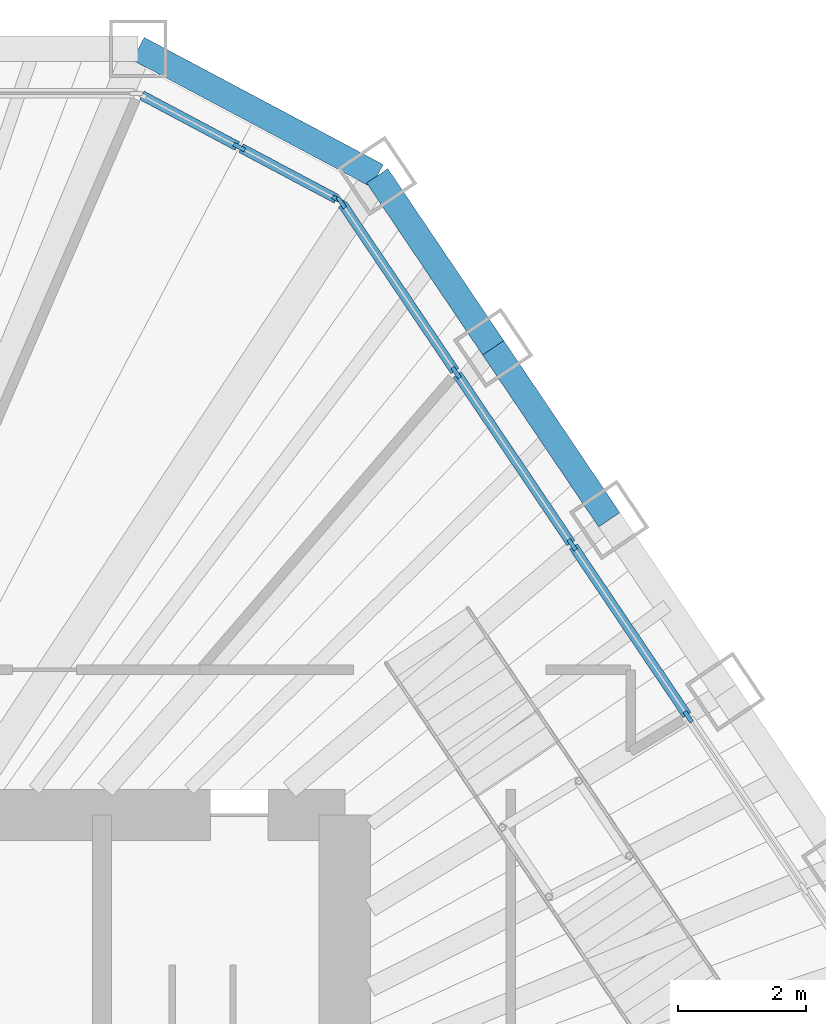
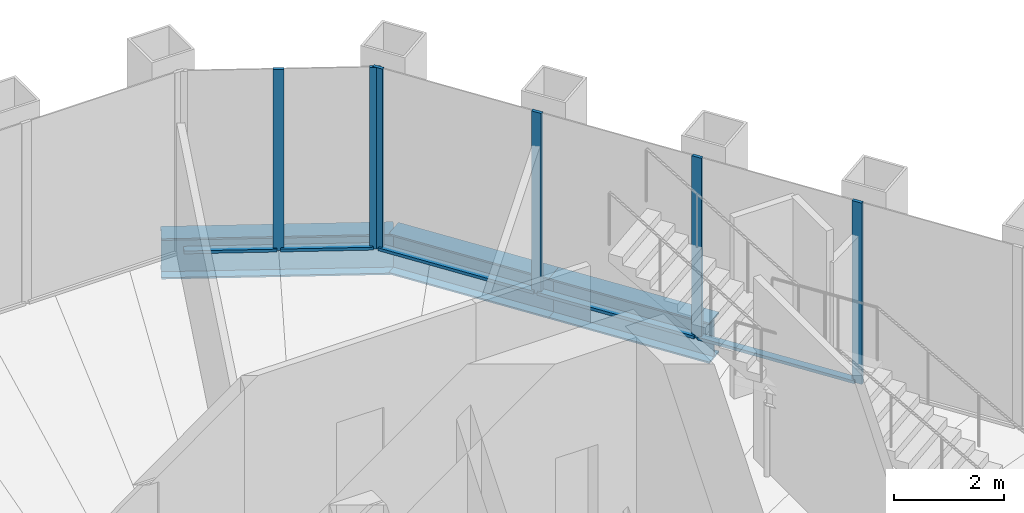
# One storey, part 8 of 14: 11 members, 3 beams, 2 elements without a shape of their own.
"""IFC4 building model written with IfcOpenShell, lengths in metres."""

from ifc_helpers import new_model, si_unit, direction, frame, origin, origin_2d, place, context, subcontext, project, spatial, rectangle, i_section, extrude, material, material_profile, profile_set, type_object, element, aggregate, save


model = new_model("IFC4")

# Units and contexts
model_context = context("Model", 3, precision=1e-05, world=origin(), true_north=direction((0.0, 1.0)))
body_context = subcontext(model_context, "Body", "Model", "MODEL_VIEW")
ifc_project = project(units=[si_unit("LENGTHUNIT", "METRE"), si_unit("AREAUNIT", "SQUARE_METRE"), si_unit("VOLUMEUNIT", "CUBIC_METRE"), si_unit("PLANEANGLEUNIT", "RADIAN"), si_unit("MASSUNIT", "GRAM", prefix="KILO")], contexts=[model_context])

# Site, building, storey
site_placement = place(None, origin())
site = spatial("IfcSite", under=ifc_project, at=site_placement, CompositionType="ELEMENT")
building_placement = place(site_placement, origin())
building = spatial("IfcBuilding", under=site, at=building_placement, Name="Qingtian Harvest Tower", CompositionType="ELEMENT")
storey_placement = place(building_placement, frame((0.0, 0.0, 325.0)))
storey = spatial("IfcBuildingStorey", under=building, at=storey_placement, Name="L72", CompositionType="ELEMENT", Elevation=325.0)

# Curtain wall, members
ifc_material_1 = material(Name="Bronze-anodised aluminium curtain wall", Category="aluminium")
curtain_wall_type = type_object("IfcCurtainWallType", Name="Curtain wall CW6 executive floors", PredefinedType="USERDEFINED", material=ifc_material_1)
curtain_wall_1_placement = place(storey_placement, origin())
curtain_wall_1 = element("IfcCurtainWall", 1, at=curtain_wall_1_placement, inside=storey, type_object=curtain_wall_type, Name="Curtain wall CW6 L72 NC", ObjectType="RECESSED CURTAIN WALL", PredefinedType="USERDEFINED")
ifc_material_2 = material(Name="Bronze-anodised aluminium mullion", Category="aluminium")
ifc_material_profile_1 = material_profile(ifc_material_2, rectangle(XDim=0.06494140625, YDim=0.199951171875, at=origin_2d()), Name="AL 65x200")
ifc_profile_set_1 = profile_set([ifc_material_profile_1], Name="Bronze-anodised aluminium mullion")
member_type_1 = type_object("IfcMemberType", Name="Mullion CWM 65x200", PredefinedType="MULLION", material=ifc_profile_set_1)
member_1_placement = place(storey_placement, frame((10.3466796875, 19.45947265625, 0.0), z_axis=(0.0, 0.0, 1.0), x_axis=(0.469471562786, 0.882947592859, 0.0)))
member_1 = element("IfcMember", 2, at=member_1_placement, type_object=member_type_1, Name="CW6 mullion 2", PredefinedType="MULLION", context=body_context, shape_type="SweptSolid", body=[
    extrude(rectangle(XDim=0.06494140625, YDim=0.199951171875, at=origin_2d()), origin(), (0.0, 0.0, 1.0), 4.030029296875),
])
member_2_placement = place(storey_placement, frame((11.89892578125, 18.634033203125, 0.0), z_axis=(0.0, 0.0, 1.0), x_axis=(0.469471562786, 0.882947592859, 0.0)))
member_2 = element("IfcMember", 3, at=member_2_placement, type_object=member_type_1, Name="CW6 mullion 3", PredefinedType="MULLION", context=body_context, shape_type="SweptSolid", body=[
    extrude(rectangle(XDim=0.06494140625, YDim=0.199951171875, at=origin_2d()), origin(), (0.0, 0.0, 1.0), 4.030029296875),
])

curtain_wall_2_placement = place(storey_placement, origin())
curtain_wall_2 = element("IfcCurtainWall", 4, at=curtain_wall_2_placement, inside=storey, type_object=curtain_wall_type, Name="Curtain wall CW6 L72 NE0-5", ObjectType="RECESSED CURTAIN WALL", PredefinedType="USERDEFINED")
member_3_placement = place(storey_placement, frame((11.94580078125, 18.592041015625, 0.0), z_axis=(0.0, 0.0, 1.0), x_axis=(0.829037572555, 0.559192903471, 0.0)))
member_3 = element("IfcMember", 5, at=member_3_placement, type_object=member_type_1, Name="CW6 mullion 1", PredefinedType="MULLION", context=body_context, shape_type="SweptSolid", body=[
    extrude(rectangle(XDim=0.06494140625, YDim=0.199951171875, at=origin_2d()), origin(), (0.0, 0.0, 1.0), 4.030029296875),
])
member_4_placement = place(storey_placement, frame((13.743896484375, 15.926025390625, 0.0), z_axis=(0.0, 0.0, 1.0), x_axis=(0.829037572555, 0.559192903471, 0.0)))
member_4 = element("IfcMember", 6, at=member_4_placement, type_object=member_type_1, Name="CW6 mullion 2", PredefinedType="MULLION", context=body_context, shape_type="SweptSolid", body=[
    extrude(rectangle(XDim=0.06494140625, YDim=0.199951171875, at=origin_2d()), origin(), (0.0, 0.0, 1.0), 4.030029296875),
])
member_5_placement = place(storey_placement, frame((15.56005859375, 13.2333984375, 0.0), z_axis=(0.0, 0.0, 1.0), x_axis=(0.829037572555, 0.559192903471, 0.0)))
member_5 = element("IfcMember", 7, at=member_5_placement, type_object=member_type_1, Name="CW6 mullion 3", PredefinedType="MULLION", context=body_context, shape_type="SweptSolid", body=[
    extrude(rectangle(XDim=0.06494140625, YDim=0.199951171875, at=origin_2d()), origin(), (0.0, 0.0, 1.0), 4.030029296875),
])
member_6_placement = place(storey_placement, frame((17.37646484375, 10.540771484375, 0.0), z_axis=(0.0, 0.0, 1.0), x_axis=(0.829037572555, 0.559192903471, 0.0)))
member_6 = element("IfcMember", 8, at=member_6_placement, type_object=member_type_1, Name="CW6 mullion 4", PredefinedType="MULLION", context=body_context, shape_type="SweptSolid", body=[
    extrude(rectangle(XDim=0.06494140625, YDim=0.199951171875, at=origin_2d()), origin(), (0.0, 0.0, 1.0), 4.030029296875),
])

# Beams
ifc_material_3 = material(Name="Steel SN490B", Category="steel")
ifc_material_profile_2 = material_profile(ifc_material_3, i_section(OverallWidth=0.39990234375, OverallDepth=0.89990234375, WebThickness=0.01904296875, FlangeThickness=0.035888671875, at=origin_2d()), Name="H900x400x19x36")
ifc_profile_set_2 = profile_set([ifc_material_profile_2], Name="Steel SN490B")
beam_type = type_object("IfcBeamType", Name="Spandrel beam SB4 H900x400x19x36", PredefinedType="SPANDREL", material=ifc_profile_set_2)
beam_1_placement = place(storey_placement, frame((8.765869140625, 21.0, -0.449951171875), z_axis=(0.882948599748, -0.469469669099, 0.0), x_axis=(0.469469669099, 0.882948599748, 0.0)))
element("IfcBeam", 9, at=beam_1_placement, inside=storey, type_object=beam_type, Name="Spandrel SB4 NC", PredefinedType="SPANDREL", context=body_context, shape_type="SweptSolid", body=[
    extrude(i_section(OverallWidth=0.39990234375, OverallDepth=0.89990234375, WebThickness=0.01904296875, FlangeThickness=0.035888671875, at=origin_2d()), origin(), (0.0, 0.0, 1.0), 4.23828125),
])
beam_2_placement = place(storey_placement, frame((12.508056640625, 19.01025390625, -0.449951171875), z_axis=(0.559184924833, -0.829042954158, 0.0), x_axis=(0.829042954158, 0.559184924833, 0.0)))
element("IfcBeam", 10, at=beam_2_placement, inside=storey, type_object=beam_type, Name="Spandrel SB4 NE0", PredefinedType="SPANDREL", context=body_context, shape_type="SweptSolid", body=[
    extrude(i_section(OverallWidth=0.39990234375, OverallDepth=0.89990234375, WebThickness=0.01904296875, FlangeThickness=0.035888671875, at=origin_2d()), origin(), (0.0, 0.0, 1.0), 3.247802734375),
])
beam_3_placement = place(storey_placement, frame((14.32421875, 16.317626953125, -0.449951171875), z_axis=(0.559201740147, -0.829031612073, 0.0), x_axis=(0.829031612073, 0.559201740147, 0.0)))
element("IfcBeam", 11, at=beam_3_placement, inside=storey, type_object=beam_type, Name="Spandrel SB4 NE1", PredefinedType="SPANDREL", context=body_context, shape_type="SweptSolid", body=[
    extrude(i_section(OverallWidth=0.39990234375, OverallDepth=0.89990234375, WebThickness=0.01904296875, FlangeThickness=0.035888671875, at=origin_2d()), origin(), (0.0, 0.0, 1.0), 3.248291015625),
])

# Member
ifc_material_4 = material(Name="Bronze-anodised aluminium transom", Category="aluminium")
ifc_material_profile_3 = material_profile(ifc_material_4, rectangle(XDim=0.14990234375, YDim=0.06494140625, at=origin_2d()), Name="AL 65x150")
ifc_profile_set_3 = profile_set([ifc_material_profile_3], Name="Bronze-anodised aluminium transom")
member_type_2 = type_object("IfcMemberType", Name="Transom CWT 65x150", PredefinedType="USERDEFINED", material=ifc_profile_set_3)
member_7_placement = place(storey_placement, frame((8.8232421875, 20.26953125, 0.032470703125), z_axis=(0.882927080927, -0.469510138086, 0.0), x_axis=(0.469510138086, 0.882927080927, 0.0)))
member_7 = element("IfcMember", 12, at=member_7_placement, type_object=member_type_2, Name="CW6 transom 1.1", ObjectType="TRANSOM", PredefinedType="USERDEFINED", context=body_context, shape_type="SweptSolid", body=[
    extrude(rectangle(XDim=0.14990234375, YDim=0.06494140625, at=origin_2d()), origin(), (0.0, 0.0, 1.0), 1.693115234375),
])

member_8_placement = place(storey_placement, frame((10.37548828125, 19.444091796875, 0.032470703125), z_axis=(0.882986854304, -0.469397715297, 0.0), x_axis=(0.469397715297, 0.882986854304, 0.0)))
member_8 = element("IfcMember", 13, at=member_8_placement, type_object=member_type_2, Name="CW6 transom 2.1", ObjectType="TRANSOM", PredefinedType="USERDEFINED", context=body_context, shape_type="SweptSolid", body=[
    extrude(rectangle(XDim=0.14990234375, YDim=0.06494140625, at=origin_2d()), origin(), (0.0, 0.0, 1.0), 1.69287109375),
])

aggregate(curtain_wall_1, [member_1, member_2, member_7, member_8])

member_9_placement = place(storey_placement, frame((11.9638671875, 18.56494140625, 0.032470703125), z_axis=(0.559251907839, -0.828997770551, 0.0), x_axis=(0.828997770551, 0.559251907839, 0.0)))
member_9 = element("IfcMember", 14, at=member_9_placement, type_object=member_type_2, Name="CW6 transom 1.1", ObjectType="TRANSOM", PredefinedType="USERDEFINED", context=body_context, shape_type="SweptSolid", body=[
    extrude(rectangle(XDim=0.14990234375, YDim=0.06494140625, at=origin_2d()), origin(), (0.0, 0.0, 1.0), 3.150634765625),
])

member_10_placement = place(storey_placement, frame((13.761962890625, 15.899169921875, 0.032470703125), z_axis=(0.55920542009, -0.829029129852, 0.0), x_axis=(0.829029129852, 0.55920542009, 0.0)))
member_10 = element("IfcMember", 15, at=member_10_placement, type_object=member_type_2, Name="CW6 transom 2.1", ObjectType="TRANSOM", PredefinedType="USERDEFINED", context=body_context, shape_type="SweptSolid", body=[
    extrude(rectangle(XDim=0.14990234375, YDim=0.06494140625, at=origin_2d()), origin(), (0.0, 0.0, 1.0), 3.18310546875),
])

member_11_placement = place(storey_placement, frame((15.578369140625, 13.20654296875, 0.032470703125), z_axis=(0.55920542009, -0.829029129852, 0.0), x_axis=(0.829029129852, 0.55920542009, 0.0)))
member_11 = element("IfcMember", 16, at=member_11_placement, type_object=member_type_2, Name="CW6 transom 3.1", ObjectType="TRANSOM", PredefinedType="USERDEFINED", context=body_context, shape_type="SweptSolid", body=[
    extrude(rectangle(XDim=0.14990234375, YDim=0.06494140625, at=origin_2d()), origin(), (0.0, 0.0, 1.0), 3.18310546875),
])

aggregate(curtain_wall_2, [member_3, member_4, member_5, member_6, member_9, member_10, member_11])

save(model, "model.ifc")
